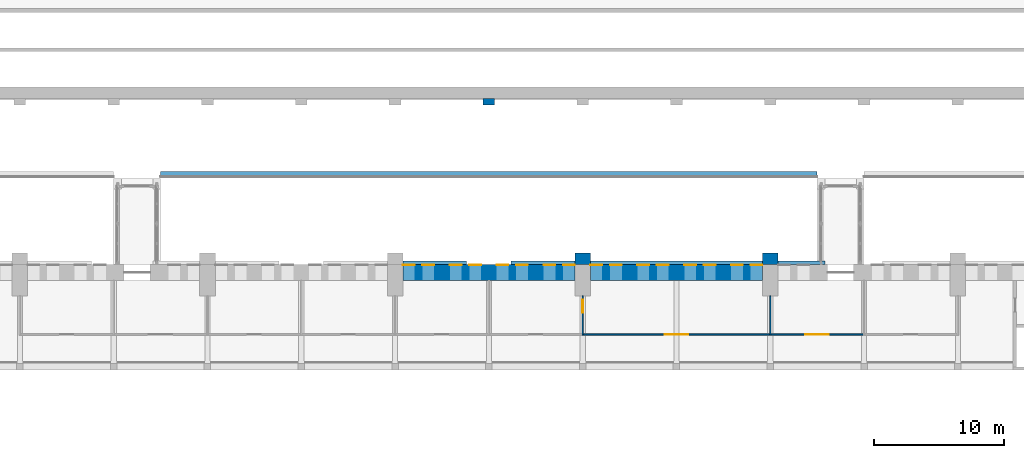
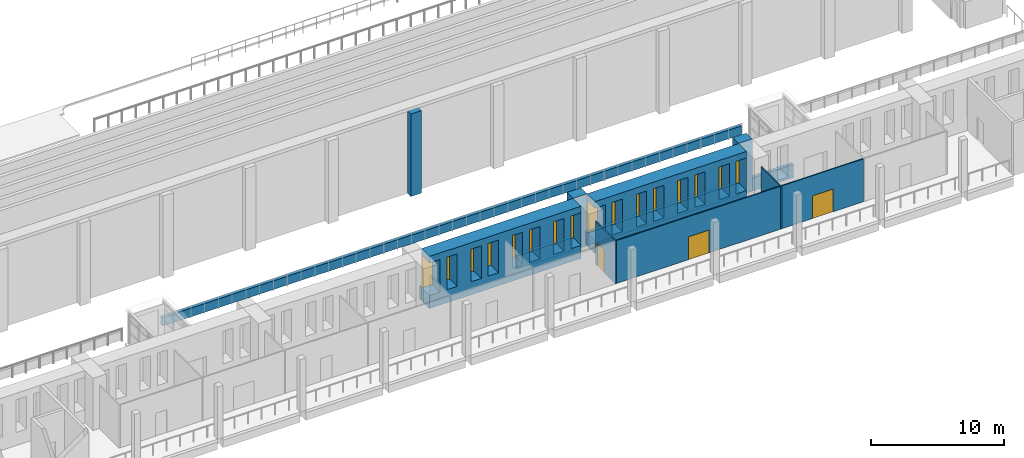
# One storey, part 87 of 131: 16 windows, 14 walls, 3 doors, 19 openings.
"""IFC4 building model written with IfcOpenShell, lengths in metres."""

from ifc_helpers import new_model, si_unit, direction, frame, frame_2d, origin, place, context, subcontext, project, spatial, rectangle, extrude, material, layer, layer_set, type_object, element, fill, save


model = new_model("IFC4")

# Units and contexts
model_context = context("Model", 3, precision=1e-05, world=origin(), true_north=direction((0.0, 1.0)))
body_context = subcontext(model_context, "Body", "Model", "MODEL_VIEW")
ifc_project = project(units=[si_unit("LENGTHUNIT", "METRE"), si_unit("AREAUNIT", "SQUARE_METRE"), si_unit("VOLUMEUNIT", "CUBIC_METRE"), si_unit("PLANEANGLEUNIT", "RADIAN"), si_unit("MASSUNIT", "GRAM", prefix="KILO")], contexts=[model_context])

# Site, building, storey
site_placement = place(None, origin())
site = spatial("IfcSite", under=ifc_project, at=site_placement, CompositionType="ELEMENT")
building_placement = place(site_placement, origin())
building = spatial("IfcBuilding", under=site, at=building_placement, Name="Alderwick Market Hall", CompositionType="ELEMENT")
storey_placement = place(building_placement, frame((0.0, 0.0, 4.800048828125)))
storey = spatial("IfcBuildingStorey", under=building, at=storey_placement, Name="L00", CompositionType="ELEMENT", Elevation=4.800048828125)

# Walls
ifc_material_1 = material(Name="Cast stone 5000 psi", Category="masonry")
ifc_layer_1 = layer(ifc_material_1, 0.300048828125)
ifc_layer_set_1 = layer_set([ifc_layer_1], Name="Cast stone 5000 psi")
wall_type_1 = type_object("IfcWallType", Name="A Cast Stone Balustrade Parapet 300", PredefinedType="SOLIDWALL", material=ifc_layer_set_1)
wall_1_placement = place(storey_placement, frame((75.60009765625, 115.60009765625, 0.0), z_axis=(0.0, 0.0, 1.0), x_axis=(1.0, 0.0, 0.0)))
element("IfcWall", 1, at=wall_1_placement, inside=storey, type_object=wall_type_1, Name="A.N.parapet.01", PredefinedType="SOLIDWALL", context=body_context, shape_type="SweptSolid", body=[
    extrude(rectangle(XDim=50.39990234375, YDim=0.300048828125, at=frame_2d((25.199951171875, 0.0))), origin(), (0.0, 0.0, 1.0), 0.800048828125),
])
ifc_material_2 = material(Name="Concrete 5000 psi (f'c 35 MPa)", Category="concrete")
ifc_layer_2 = layer(ifc_material_2, 0.89990234375)
ifc_layer_set_2 = layer_set([ifc_layer_2], Name="Concrete 5000 psi (f'c 35 MPa)")
wall_type_2 = type_object("IfcWallType", Name="A RC Bank Buttress 900", PredefinedType="SOLIDWALL", material=ifc_layer_set_2)
wall_2_placement = place(storey_placement, frame((100.800048828125, 121.35009765625, 0.0), z_axis=(0.0, 0.0, 1.0), x_axis=(0.0, -1.0, 0.0)))
element("IfcWall", 2, at=wall_2_placement, inside=storey, type_object=wall_type_2, Name="Bank buttress", PredefinedType="SOLIDWALL", context=body_context, shape_type="SweptSolid", body=[
    extrude(rectangle(XDim=0.5, YDim=0.89990234375, at=frame_2d((0.25, 0.0))), origin(), (0.0, 0.0, 1.0), 7.599853515625),
])
ifc_material_3 = material(Name="Cast stone 5000 psi (f'c 35 MPa), ASTM C1364", Category="masonry")
ifc_layer_3 = layer(ifc_material_3, 0.300048828125)
ifc_layer_set_3 = layer_set([ifc_layer_3], Name="Cast stone 5000 psi (f'c 35 MPa), ASTM C1364")
wall_type_3 = type_object("IfcWallType", Name="H Base course 300", PredefinedType="SOLIDWALL", material=ifc_layer_set_3)
wall_3_placement = place(storey_placement, frame((94.199951171875, 108.75, 0.0), z_axis=(0.0, 0.0, 1.0), x_axis=(1.0, 0.0, 0.0)))
element("IfcWall", 3, at=wall_3_placement, inside=storey, type_object=wall_type_3, Name="Base course N4", PredefinedType="SOLIDWALL", context=body_context, shape_type="SweptSolid", body=[
    extrude(rectangle(XDim=4.900146484375, YDim=0.300048828125, at=frame_2d((2.4501953125, 0.0))), origin(), (0.0, 0.0, 1.0), 1.199951171875),
])
wall_4_placement = place(storey_placement, frame((102.5, 108.75, 0.0), z_axis=(0.0, 0.0, 1.0), x_axis=(1.0, 0.0, 0.0)))
element("IfcWall", 4, at=wall_4_placement, inside=storey, type_object=wall_type_3, Name="Base course N4", PredefinedType="SOLIDWALL", context=body_context, shape_type="SweptSolid", body=[
    extrude(rectangle(XDim=4.89990234375, YDim=0.300048828125, at=frame_2d((2.449951171875, 0.0))), origin(), (0.0, 0.0, 1.0), 1.199951171875),
])
wall_5_placement = place(storey_placement, frame((108.60009765625, 108.75, 0.0), z_axis=(0.0, 0.0, 1.0), x_axis=(1.0, 0.0, 0.0)))
element("IfcWall", 5, at=wall_5_placement, inside=storey, type_object=wall_type_3, Name="Base course N5", PredefinedType="SOLIDWALL", context=body_context, shape_type="SweptSolid", body=[
    extrude(rectangle(XDim=13.199951171875, YDim=0.300048828125, at=frame_2d((6.60009765625, 0.0))), origin(), (0.0, 0.0, 1.0), 1.199951171875),
])
wall_6_placement = place(storey_placement, frame((123.0, 108.75, 0.0), z_axis=(0.0, 0.0, 1.0), x_axis=(1.0, 0.0, 0.0)))
element("IfcWall", 6, at=wall_6_placement, inside=storey, type_object=wall_type_3, Name="Base course N6", PredefinedType="SOLIDWALL", context=body_context, shape_type="SweptSolid", body=[
    extrude(rectangle(XDim=3.60009765625, YDim=0.300048828125, at=frame_2d((1.800048828125, 0.0))), origin(), (0.0, 0.0, 1.0), 1.199951171875),
])
ifc_material_4 = material(Name="Face brick masonry, ASTM C216 grade SW (f'm 17 MPa)", Category="masonry")
ifc_layer_4 = layer(ifc_material_4, 0.89990234375)
ifc_layer_set_4 = layer_set([ifc_layer_4], Name="Face brick masonry, ASTM C216 grade SW (f'm 17 MPa)")
wall_type_4 = type_object("IfcWallType", Name="H Buttress pier 900", PredefinedType="SOLIDWALL", material=ifc_layer_set_4)
wall_7_placement = place(storey_placement, frame((107.39990234375, 109.050048828125, 0.0), z_axis=(0.0, 0.0, 1.0), x_axis=(1.0, 0.0, 0.0)))
element("IfcWall", 7, at=wall_7_placement, inside=storey, type_object=wall_type_4, Name="Buttress pier N5", PredefinedType="SOLIDWALL", context=body_context, shape_type="SweptSolid", body=[
    extrude(rectangle(XDim=1.2001953125, YDim=0.89990234375, at=frame_2d((0.60009765625, 0.0))), origin(), (0.0, 0.0, 1.0), 4.800048828125),
])
wall_8_placement = place(storey_placement, frame((121.800048828125, 109.050048828125, 0.0), z_axis=(0.0, 0.0, 1.0), x_axis=(1.0, 0.0, 0.0)))
element("IfcWall", 8, at=wall_8_placement, inside=storey, type_object=wall_type_4, Name="Buttress pier N6", PredefinedType="SOLIDWALL", context=body_context, shape_type="SweptSolid", body=[
    extrude(rectangle(XDim=1.199951171875, YDim=0.89990234375, at=frame_2d((0.60009765625, 0.0))), origin(), (0.0, 0.0, 1.0), 4.800048828125),
])

# Wall, openings, windows
ifc_layer_5 = layer(ifc_material_2, 1.199951171875)
ifc_layer_set_5 = layer_set([ifc_layer_5], Name="Concrete 5000 psi (f'c 35 MPa)")
wall_type_5 = type_object("IfcWallType", Name="H Long wall 1200", PredefinedType="SOLIDWALL", material=ifc_layer_set_5)
wall_9_placement = place(storey_placement, frame((94.199951171875, 108.0, 0.0), z_axis=(0.0, 0.0, 1.0), x_axis=(1.0, 0.0, 0.0)))
wall_9 = element("IfcWall", 9, at=wall_9_placement, inside=storey, type_object=wall_type_5, Name="Long wall N L00 4", PredefinedType="SOLIDWALL", context=body_context, shape_type="SweptSolid", body=[
    extrude(rectangle(XDim=13.199951171875, YDim=1.199951171875, at=frame_2d((6.60009765625, 0.0))), origin(), (0.0, 0.0, 1.0), 4.800048828125),
])
opening_1_placement = place(wall_9_placement, frame((0.0, 0.0, 1.199951171875)))
opening_1 = element("IfcOpeningElement", 10, at=opening_1_placement, cuts=wall_9, Name="Opening H-W131", PredefinedType="OPENING", context=body_context, shape_type="SweptSolid", body=[
    extrude(rectangle(XDim=0.89990234375, YDim=3.0, at=frame_2d((0.449951171875, 1.5))), frame((0.0, 0.60986328125, 0.0), z_axis=(0.0, -1.0, 0.0), x_axis=(1.0, 0.0, 0.0)), (0.0, 0.0, 1.0), 1.219970703125),
])
opening_2_placement = place(wall_9_placement, frame((1.5, 0.0, 1.199951171875)))
opening_2 = element("IfcOpeningElement", 11, at=opening_2_placement, cuts=wall_9, Name="Opening H-W132", PredefinedType="OPENING", context=body_context, shape_type="SweptSolid", body=[
    extrude(rectangle(XDim=0.89990234375, YDim=3.0, at=frame_2d((0.449951171875, 1.5))), frame((0.0, 0.60986328125, 0.0), z_axis=(0.0, -1.0, 0.0), x_axis=(1.0, 0.0, 0.0)), (0.0, 0.0, 1.0), 1.219970703125),
])
opening_3_placement = place(wall_9_placement, frame((3.60009765625, 0.0, 1.199951171875)))
opening_3 = element("IfcOpeningElement", 12, at=opening_3_placement, cuts=wall_9, Name="Opening H-W133", PredefinedType="OPENING", context=body_context, shape_type="SweptSolid", body=[
    extrude(rectangle(XDim=0.89990234375, YDim=3.0, at=frame_2d((0.449951171875, 1.5))), frame((0.0, 0.60986328125, 0.0), z_axis=(0.0, -1.0, 0.0), x_axis=(1.0, 0.0, 0.0)), (0.0, 0.0, 1.0), 1.219970703125),
])
opening_4_placement = place(wall_9_placement, frame((5.10009765625, 0.0, 1.199951171875)))
opening_4 = element("IfcOpeningElement", 13, at=opening_4_placement, cuts=wall_9, Name="Opening H-W134", PredefinedType="OPENING", context=body_context, shape_type="SweptSolid", body=[
    extrude(rectangle(XDim=0.89990234375, YDim=3.0, at=frame_2d((0.449951171875, 1.5))), frame((0.0, 0.60986328125, 0.0), z_axis=(0.0, -1.0, 0.0), x_axis=(1.0, 0.0, 0.0)), (0.0, 0.0, 1.0), 1.219970703125),
])
opening_5_placement = place(wall_9_placement, frame((7.199951171875, 0.0, 1.199951171875)))
opening_5 = element("IfcOpeningElement", 14, at=opening_5_placement, cuts=wall_9, Name="Opening H-W135", PredefinedType="OPENING", context=body_context, shape_type="SweptSolid", body=[
    extrude(rectangle(XDim=0.89990234375, YDim=3.0, at=frame_2d((0.449951171875, 1.5))), frame((0.0, 0.60986328125, 0.0), z_axis=(0.0, -1.0, 0.0), x_axis=(1.0, 0.0, 0.0)), (0.0, 0.0, 1.0), 1.219970703125),
])
opening_6_placement = place(wall_9_placement, frame((8.699951171875, 0.0, 1.199951171875)))
opening_6 = element("IfcOpeningElement", 15, at=opening_6_placement, cuts=wall_9, Name="Opening H-W136", PredefinedType="OPENING", context=body_context, shape_type="SweptSolid", body=[
    extrude(rectangle(XDim=0.89990234375, YDim=3.0, at=frame_2d((0.449951171875, 1.5))), frame((0.0, 0.60986328125, 0.0), z_axis=(0.0, -1.0, 0.0), x_axis=(1.0, 0.0, 0.0)), (0.0, 0.0, 1.0), 1.219970703125),
])
opening_7_placement = place(wall_9_placement, frame((10.800048828125, 0.0, 1.199951171875)))
opening_7 = element("IfcOpeningElement", 16, at=opening_7_placement, cuts=wall_9, Name="Opening H-W137", PredefinedType="OPENING", context=body_context, shape_type="SweptSolid", body=[
    extrude(rectangle(XDim=0.89990234375, YDim=3.0, at=frame_2d((0.449951171875, 1.5))), frame((0.0, 0.60986328125, 0.0), z_axis=(0.0, -1.0, 0.0), x_axis=(1.0, 0.0, 0.0)), (0.0, 0.0, 1.0), 1.219970703125),
])
opening_8_placement = place(wall_9_placement, frame((12.300048828125, 0.0, 1.199951171875)))
opening_8 = element("IfcOpeningElement", 17, at=opening_8_placement, cuts=wall_9, Name="Opening H-W138", PredefinedType="OPENING", context=body_context, shape_type="SweptSolid", body=[
    extrude(rectangle(XDim=0.89990234375, YDim=3.0, at=frame_2d((0.449951171875, 1.5))), frame((0.0, 0.60986328125, 0.0), z_axis=(0.0, -1.0, 0.0), x_axis=(1.0, 0.0, 0.0)), (0.0, 0.0, 1.0), 1.219970703125),
])
ifc_material_5 = material(Name="Aluminium frame with insulated glass", Category="aluminium")
window_type = type_object("IfcWindowType", Name="H Window 900x3000", PartitioningType="SINGLE_PANEL", PredefinedType="WINDOW", material=ifc_material_5)
window_1_placement = place(opening_1_placement, origin())
window_1 = element("IfcWindow", 18, at=window_1_placement, inside=storey, type_object=window_type, Name="Window H-W131", OverallHeight=3.0, OverallWidth=0.89990234375, PartitioningType="SINGLE_PANEL", PredefinedType="WINDOW", context=body_context, shape_type="SweptSolid", body=[
    extrude(rectangle(XDim=0.89990234375, YDim=3.0, at=frame_2d((0.449951171875, 1.5))), frame((0.0, 0.610107421875, 0.0), z_axis=(0.0, -1.0, 0.0), x_axis=(1.0, 0.0, 0.0)), (0.0, 0.0, 1.0), 0.06005859375),
])
fill(opening_1, window_1)
window_2_placement = place(opening_2_placement, origin())
window_2 = element("IfcWindow", 19, at=window_2_placement, inside=storey, type_object=window_type, Name="Window H-W132", OverallHeight=3.0, OverallWidth=0.89990234375, PartitioningType="SINGLE_PANEL", PredefinedType="WINDOW", context=body_context, shape_type="SweptSolid", body=[
    extrude(rectangle(XDim=0.89990234375, YDim=3.0, at=frame_2d((0.449951171875, 1.5))), frame((0.0, 0.610107421875, 0.0), z_axis=(0.0, -1.0, 0.0), x_axis=(1.0, 0.0, 0.0)), (0.0, 0.0, 1.0), 0.06005859375),
])
fill(opening_2, window_2)
window_3_placement = place(opening_3_placement, origin())
window_3 = element("IfcWindow", 20, at=window_3_placement, inside=storey, type_object=window_type, Name="Window H-W133", OverallHeight=3.0, OverallWidth=0.89990234375, PartitioningType="SINGLE_PANEL", PredefinedType="WINDOW", context=body_context, shape_type="SweptSolid", body=[
    extrude(rectangle(XDim=0.89990234375, YDim=3.0, at=frame_2d((0.449951171875, 1.5))), frame((0.0, 0.610107421875, 0.0), z_axis=(0.0, -1.0, 0.0), x_axis=(1.0, 0.0, 0.0)), (0.0, 0.0, 1.0), 0.06005859375),
])
fill(opening_3, window_3)
window_4_placement = place(opening_4_placement, origin())
window_4 = element("IfcWindow", 21, at=window_4_placement, inside=storey, type_object=window_type, Name="Window H-W134", OverallHeight=3.0, OverallWidth=0.89990234375, PartitioningType="SINGLE_PANEL", PredefinedType="WINDOW", context=body_context, shape_type="SweptSolid", body=[
    extrude(rectangle(XDim=0.89990234375, YDim=3.0, at=frame_2d((0.449951171875, 1.5))), frame((0.0, 0.610107421875, 0.0), z_axis=(0.0, -1.0, 0.0), x_axis=(1.0, 0.0, 0.0)), (0.0, 0.0, 1.0), 0.06005859375),
])
fill(opening_4, window_4)
window_5_placement = place(opening_5_placement, origin())
window_5 = element("IfcWindow", 22, at=window_5_placement, inside=storey, type_object=window_type, Name="Window H-W135", OverallHeight=3.0, OverallWidth=0.89990234375, PartitioningType="SINGLE_PANEL", PredefinedType="WINDOW", context=body_context, shape_type="SweptSolid", body=[
    extrude(rectangle(XDim=0.89990234375, YDim=3.0, at=frame_2d((0.449951171875, 1.5))), frame((0.0, 0.610107421875, 0.0), z_axis=(0.0, -1.0, 0.0), x_axis=(1.0, 0.0, 0.0)), (0.0, 0.0, 1.0), 0.06005859375),
])
fill(opening_5, window_5)
window_6_placement = place(opening_6_placement, origin())
window_6 = element("IfcWindow", 23, at=window_6_placement, inside=storey, type_object=window_type, Name="Window H-W136", OverallHeight=3.0, OverallWidth=0.89990234375, PartitioningType="SINGLE_PANEL", PredefinedType="WINDOW", context=body_context, shape_type="SweptSolid", body=[
    extrude(rectangle(XDim=0.89990234375, YDim=3.0, at=frame_2d((0.449951171875, 1.5))), frame((0.0, 0.610107421875, 0.0), z_axis=(0.0, -1.0, 0.0), x_axis=(1.0, 0.0, 0.0)), (0.0, 0.0, 1.0), 0.06005859375),
])
fill(opening_6, window_6)
window_7_placement = place(opening_7_placement, origin())
window_7 = element("IfcWindow", 24, at=window_7_placement, inside=storey, type_object=window_type, Name="Window H-W137", OverallHeight=3.0, OverallWidth=0.89990234375, PartitioningType="SINGLE_PANEL", PredefinedType="WINDOW", context=body_context, shape_type="SweptSolid", body=[
    extrude(rectangle(XDim=0.89990234375, YDim=3.0, at=frame_2d((0.449951171875, 1.5))), frame((0.0, 0.610107421875, 0.0), z_axis=(0.0, -1.0, 0.0), x_axis=(1.0, 0.0, 0.0)), (0.0, 0.0, 1.0), 0.06005859375),
])
fill(opening_7, window_7)
window_8_placement = place(opening_8_placement, origin())
window_8 = element("IfcWindow", 25, at=window_8_placement, inside=storey, type_object=window_type, Name="Window H-W138", OverallHeight=3.0, OverallWidth=0.89990234375, PartitioningType="SINGLE_PANEL", PredefinedType="WINDOW", context=body_context, shape_type="SweptSolid", body=[
    extrude(rectangle(XDim=0.89990234375, YDim=3.0, at=frame_2d((0.449951171875, 1.5))), frame((0.0, 0.610107421875, 0.0), z_axis=(0.0, -1.0, 0.0), x_axis=(1.0, 0.0, 0.0)), (0.0, 0.0, 1.0), 0.06005859375),
])
fill(opening_8, window_8)

wall_10_placement = place(storey_placement, frame((108.60009765625, 108.0, 0.0), z_axis=(0.0, 0.0, 1.0), x_axis=(1.0, 0.0, 0.0)))
wall_10 = element("IfcWall", 26, at=wall_10_placement, inside=storey, type_object=wall_type_5, Name="Long wall N L00 5", PredefinedType="SOLIDWALL", context=body_context, shape_type="SweptSolid", body=[
    extrude(rectangle(XDim=13.199951171875, YDim=1.199951171875, at=frame_2d((6.60009765625, 0.0))), origin(), (0.0, 0.0, 1.0), 4.800048828125),
])
opening_9_placement = place(wall_10_placement, frame((0.0, 0.0, 1.199951171875)))
opening_9 = element("IfcOpeningElement", 27, at=opening_9_placement, cuts=wall_10, Name="Opening H-W139", PredefinedType="OPENING", context=body_context, shape_type="SweptSolid", body=[
    extrude(rectangle(XDim=0.89990234375, YDim=3.0, at=frame_2d((0.449951171875, 1.5))), frame((0.0, 0.60986328125, 0.0), z_axis=(0.0, -1.0, 0.0), x_axis=(1.0, 0.0, 0.0)), (0.0, 0.0, 1.0), 1.219970703125),
])
opening_10_placement = place(wall_10_placement, frame((1.5, 0.0, 1.199951171875)))
opening_10 = element("IfcOpeningElement", 28, at=opening_10_placement, cuts=wall_10, Name="Opening H-W140", PredefinedType="OPENING", context=body_context, shape_type="SweptSolid", body=[
    extrude(rectangle(XDim=0.89990234375, YDim=3.0, at=frame_2d((0.449951171875, 1.5))), frame((0.0, 0.60986328125, 0.0), z_axis=(0.0, -1.0, 0.0), x_axis=(1.0, 0.0, 0.0)), (0.0, 0.0, 1.0), 1.219970703125),
])
opening_11_placement = place(wall_10_placement, frame((3.60009765625, 0.0, 1.199951171875)))
opening_11 = element("IfcOpeningElement", 29, at=opening_11_placement, cuts=wall_10, Name="Opening H-W141", PredefinedType="OPENING", context=body_context, shape_type="SweptSolid", body=[
    extrude(rectangle(XDim=0.89990234375, YDim=3.0, at=frame_2d((0.449951171875, 1.5))), frame((0.0, 0.60986328125, 0.0), z_axis=(0.0, -1.0, 0.0), x_axis=(1.0, 0.0, 0.0)), (0.0, 0.0, 1.0), 1.219970703125),
])
opening_12_placement = place(wall_10_placement, frame((5.10009765625, 0.0, 1.199951171875)))
opening_12 = element("IfcOpeningElement", 30, at=opening_12_placement, cuts=wall_10, Name="Opening H-W142", PredefinedType="OPENING", context=body_context, shape_type="SweptSolid", body=[
    extrude(rectangle(XDim=0.89990234375, YDim=3.0, at=frame_2d((0.449951171875, 1.5))), frame((0.0, 0.60986328125, 0.0), z_axis=(0.0, -1.0, 0.0), x_axis=(1.0, 0.0, 0.0)), (0.0, 0.0, 1.0), 1.219970703125),
])
opening_13_placement = place(wall_10_placement, frame((7.199951171875, 0.0, 1.199951171875)))
opening_13 = element("IfcOpeningElement", 31, at=opening_13_placement, cuts=wall_10, Name="Opening H-W143", PredefinedType="OPENING", context=body_context, shape_type="SweptSolid", body=[
    extrude(rectangle(XDim=0.89990234375, YDim=3.0, at=frame_2d((0.449951171875, 1.5))), frame((0.0, 0.60986328125, 0.0), z_axis=(0.0, -1.0, 0.0), x_axis=(1.0, 0.0, 0.0)), (0.0, 0.0, 1.0), 1.219970703125),
])
opening_14_placement = place(wall_10_placement, frame((8.699951171875, 0.0, 1.199951171875)))
opening_14 = element("IfcOpeningElement", 32, at=opening_14_placement, cuts=wall_10, Name="Opening H-W144", PredefinedType="OPENING", context=body_context, shape_type="SweptSolid", body=[
    extrude(rectangle(XDim=0.89990234375, YDim=3.0, at=frame_2d((0.449951171875, 1.5))), frame((0.0, 0.60986328125, 0.0), z_axis=(0.0, -1.0, 0.0), x_axis=(1.0, 0.0, 0.0)), (0.0, 0.0, 1.0), 1.219970703125),
])
opening_15_placement = place(wall_10_placement, frame((10.800048828125, 0.0, 1.199951171875)))
opening_15 = element("IfcOpeningElement", 33, at=opening_15_placement, cuts=wall_10, Name="Opening H-W145", PredefinedType="OPENING", context=body_context, shape_type="SweptSolid", body=[
    extrude(rectangle(XDim=0.89990234375, YDim=3.0, at=frame_2d((0.449951171875, 1.5))), frame((0.0, 0.60986328125, 0.0), z_axis=(0.0, -1.0, 0.0), x_axis=(1.0, 0.0, 0.0)), (0.0, 0.0, 1.0), 1.219970703125),
])
opening_16_placement = place(wall_10_placement, frame((12.300048828125, 0.0, 1.199951171875)))
opening_16 = element("IfcOpeningElement", 34, at=opening_16_placement, cuts=wall_10, Name="Opening H-W146", PredefinedType="OPENING", context=body_context, shape_type="SweptSolid", body=[
    extrude(rectangle(XDim=0.89990234375, YDim=3.0, at=frame_2d((0.449951171875, 1.5))), frame((0.0, 0.60986328125, 0.0), z_axis=(0.0, -1.0, 0.0), x_axis=(1.0, 0.0, 0.0)), (0.0, 0.0, 1.0), 1.219970703125),
])
window_9_placement = place(opening_9_placement, origin())
window_9 = element("IfcWindow", 35, at=window_9_placement, inside=storey, type_object=window_type, Name="Window H-W139", OverallHeight=3.0, OverallWidth=0.89990234375, PartitioningType="SINGLE_PANEL", PredefinedType="WINDOW", context=body_context, shape_type="SweptSolid", body=[
    extrude(rectangle(XDim=0.89990234375, YDim=3.0, at=frame_2d((0.449951171875, 1.5))), frame((0.0, 0.610107421875, 0.0), z_axis=(0.0, -1.0, 0.0), x_axis=(1.0, 0.0, 0.0)), (0.0, 0.0, 1.0), 0.06005859375),
])
fill(opening_9, window_9)
window_10_placement = place(opening_10_placement, origin())
window_10 = element("IfcWindow", 36, at=window_10_placement, inside=storey, type_object=window_type, Name="Window H-W140", OverallHeight=3.0, OverallWidth=0.89990234375, PartitioningType="SINGLE_PANEL", PredefinedType="WINDOW", context=body_context, shape_type="SweptSolid", body=[
    extrude(rectangle(XDim=0.89990234375, YDim=3.0, at=frame_2d((0.449951171875, 1.5))), frame((0.0, 0.610107421875, 0.0), z_axis=(0.0, -1.0, 0.0), x_axis=(1.0, 0.0, 0.0)), (0.0, 0.0, 1.0), 0.06005859375),
])
fill(opening_10, window_10)
window_11_placement = place(opening_11_placement, origin())
window_11 = element("IfcWindow", 37, at=window_11_placement, inside=storey, type_object=window_type, Name="Window H-W141", OverallHeight=3.0, OverallWidth=0.89990234375, PartitioningType="SINGLE_PANEL", PredefinedType="WINDOW", context=body_context, shape_type="SweptSolid", body=[
    extrude(rectangle(XDim=0.89990234375, YDim=3.0, at=frame_2d((0.449951171875, 1.5))), frame((0.0, 0.610107421875, 0.0), z_axis=(0.0, -1.0, 0.0), x_axis=(1.0, 0.0, 0.0)), (0.0, 0.0, 1.0), 0.06005859375),
])
fill(opening_11, window_11)
window_12_placement = place(opening_12_placement, origin())
window_12 = element("IfcWindow", 38, at=window_12_placement, inside=storey, type_object=window_type, Name="Window H-W142", OverallHeight=3.0, OverallWidth=0.89990234375, PartitioningType="SINGLE_PANEL", PredefinedType="WINDOW", context=body_context, shape_type="SweptSolid", body=[
    extrude(rectangle(XDim=0.89990234375, YDim=3.0, at=frame_2d((0.449951171875, 1.5))), frame((0.0, 0.610107421875, 0.0), z_axis=(0.0, -1.0, 0.0), x_axis=(1.0, 0.0, 0.0)), (0.0, 0.0, 1.0), 0.06005859375),
])
fill(opening_12, window_12)
window_13_placement = place(opening_13_placement, origin())
window_13 = element("IfcWindow", 39, at=window_13_placement, inside=storey, type_object=window_type, Name="Window H-W143", OverallHeight=3.0, OverallWidth=0.89990234375, PartitioningType="SINGLE_PANEL", PredefinedType="WINDOW", context=body_context, shape_type="SweptSolid", body=[
    extrude(rectangle(XDim=0.89990234375, YDim=3.0, at=frame_2d((0.449951171875, 1.5))), frame((0.0, 0.610107421875, 0.0), z_axis=(0.0, -1.0, 0.0), x_axis=(1.0, 0.0, 0.0)), (0.0, 0.0, 1.0), 0.06005859375),
])
fill(opening_13, window_13)
window_14_placement = place(opening_14_placement, origin())
window_14 = element("IfcWindow", 40, at=window_14_placement, inside=storey, type_object=window_type, Name="Window H-W144", OverallHeight=3.0, OverallWidth=0.89990234375, PartitioningType="SINGLE_PANEL", PredefinedType="WINDOW", context=body_context, shape_type="SweptSolid", body=[
    extrude(rectangle(XDim=0.89990234375, YDim=3.0, at=frame_2d((0.449951171875, 1.5))), frame((0.0, 0.610107421875, 0.0), z_axis=(0.0, -1.0, 0.0), x_axis=(1.0, 0.0, 0.0)), (0.0, 0.0, 1.0), 0.06005859375),
])
fill(opening_14, window_14)
window_15_placement = place(opening_15_placement, origin())
window_15 = element("IfcWindow", 41, at=window_15_placement, inside=storey, type_object=window_type, Name="Window H-W145", OverallHeight=3.0, OverallWidth=0.89990234375, PartitioningType="SINGLE_PANEL", PredefinedType="WINDOW", context=body_context, shape_type="SweptSolid", body=[
    extrude(rectangle(XDim=0.89990234375, YDim=3.0, at=frame_2d((0.449951171875, 1.5))), frame((0.0, 0.610107421875, 0.0), z_axis=(0.0, -1.0, 0.0), x_axis=(1.0, 0.0, 0.0)), (0.0, 0.0, 1.0), 0.06005859375),
])
fill(opening_15, window_15)
window_16_placement = place(opening_16_placement, origin())
window_16 = element("IfcWindow", 42, at=window_16_placement, inside=storey, type_object=window_type, Name="Window H-W146", OverallHeight=3.0, OverallWidth=0.89990234375, PartitioningType="SINGLE_PANEL", PredefinedType="WINDOW", context=body_context, shape_type="SweptSolid", body=[
    extrude(rectangle(XDim=0.89990234375, YDim=3.0, at=frame_2d((0.449951171875, 1.5))), frame((0.0, 0.610107421875, 0.0), z_axis=(0.0, -1.0, 0.0), x_axis=(1.0, 0.0, 0.0)), (0.0, 0.0, 1.0), 0.06005859375),
])
fill(opening_16, window_16)

# Wall, opening, door
ifc_material_6 = material(Name="Gypsum board partition")
ifc_layer_6 = layer(ifc_material_6, 0.10009765625)
ifc_layer_set_6 = layer_set([ifc_layer_6], Name="Gypsum board partition")
wall_type_6 = type_object("IfcWallType", Name="H Partition 100", PredefinedType="PARTITIONING", material=ifc_layer_set_6)
wall_11_placement = place(storey_placement, frame((108.0, 106.199951171875, 0.0), z_axis=(0.0, 0.0, 1.0), x_axis=(0.0, -1.0, 0.0)))
wall_11 = element("IfcWall", 43, at=wall_11_placement, inside=storey, type_object=wall_type_6, Name="Partition", PredefinedType="PARTITIONING", context=body_context, shape_type="SweptSolid", body=[
    extrude(rectangle(XDim=3.0, YDim=0.10009765625, at=frame_2d((1.5, 0.0))), origin(), (0.0, 0.0, 1.0), 3.949951171875),
])
opening_17_placement = place(wall_11_placement, frame((0.300048828125, 0.0, 0.0)))
opening_17 = element("IfcOpeningElement", 44, at=opening_17_placement, cuts=wall_11, Name="Opening H-D074", PredefinedType="OPENING", context=body_context, shape_type="SweptSolid", body=[
    extrude(rectangle(XDim=1.0, YDim=2.10009765625, at=frame_2d((0.5, 1.050048828125))), frame((0.0, 0.06005859375, 0.0), z_axis=(0.0, -1.0, 0.0), x_axis=(1.0, 0.0, 0.0)), (0.0, 0.0, 1.0), 0.1201171875),
])
ifc_material_7 = material(Name="Timber, solid core", Category="wood")
door_type_1 = type_object("IfcDoorType", Name="H Room door 1000x2100", OperationType="SINGLE_SWING_LEFT", PredefinedType="DOOR", material=ifc_material_7)
door_1_placement = place(opening_17_placement, origin())
door_1 = element("IfcDoor", 45, at=door_1_placement, inside=storey, type_object=door_type_1, Name="Door H-D074", OperationType="SINGLE_SWING_LEFT", OverallHeight=2.10009765625, OverallWidth=1.0, PredefinedType="DOOR", context=body_context, shape_type="SweptSolid", body=[
    extrude(rectangle(XDim=1.0, YDim=2.10009765625, at=frame_2d((0.5, 1.050048828125))), frame((0.0, 0.02490234375, 0.0), z_axis=(0.0, -1.0, 0.0), x_axis=(1.0, 0.0, 0.0)), (0.0, 0.0, 1.0), 0.050048828125),
])
fill(opening_17, door_1)

# Wall
wall_12_placement = place(storey_placement, frame((122.39990234375, 106.199951171875, 0.0), z_axis=(0.0, 0.0, 1.0), x_axis=(0.0, -1.0, 0.0)))
element("IfcWall", 46, at=wall_12_placement, inside=storey, type_object=wall_type_6, Name="Partition", PredefinedType="PARTITIONING", context=body_context, shape_type="SweptSolid", body=[
    extrude(rectangle(XDim=3.0, YDim=0.10009765625, at=frame_2d((1.5, 0.0))), origin(), (0.0, 0.0, 1.0), 3.949951171875),
])

# Wall, opening, door
wall_13_placement = place(storey_placement, frame((108.050048828125, 103.25, 0.0), z_axis=(0.0, 0.0, 1.0), x_axis=(1.0, 0.0, 0.0)))
wall_13 = element("IfcWall", 47, at=wall_13_placement, inside=storey, type_object=wall_type_6, Name="Partition", PredefinedType="PARTITIONING", context=body_context, shape_type="SweptSolid", body=[
    extrude(rectangle(XDim=14.300048828125, YDim=0.10009765625, at=frame_2d((7.14990234375, 0.0))), origin(), (0.0, 0.0, 1.0), 3.949951171875),
])
opening_18_placement = place(wall_13_placement, frame((6.25, 0.0, 0.0)))
opening_18 = element("IfcOpeningElement", 48, at=opening_18_placement, cuts=wall_13, Name="Opening H-D075", PredefinedType="OPENING", context=body_context, shape_type="SweptSolid", body=[
    extrude(rectangle(XDim=1.800048828125, YDim=2.10009765625, at=frame_2d((0.89990234375, 1.050048828125))), frame((0.0, 0.06005859375, 0.0), z_axis=(0.0, -1.0, 0.0), x_axis=(1.0, 0.0, 0.0)), (0.0, 0.0, 1.0), 0.1201171875),
])
ifc_material_8 = material(Name="Timber and glass", Category="wood")
door_type_2 = type_object("IfcDoorType", Name="H Double door 1800x2100", OperationType="DOUBLE_DOOR_SINGLE_SWING", PredefinedType="DOOR", material=ifc_material_8)
door_2_placement = place(opening_18_placement, origin())
door_2 = element("IfcDoor", 49, at=door_2_placement, inside=storey, type_object=door_type_2, Name="Door H-D075", OperationType="DOUBLE_DOOR_SINGLE_SWING", OverallHeight=2.10009765625, OverallWidth=1.800048828125, PredefinedType="DOOR", context=body_context, shape_type="SweptSolid", body=[
    extrude(rectangle(XDim=1.800048828125, YDim=2.10009765625, at=frame_2d((0.89990234375, 1.050048828125))), frame((0.0, 0.02490234375, 0.0), z_axis=(0.0, -1.0, 0.0), x_axis=(1.0, 0.0, 0.0)), (0.0, 0.0, 1.0), 0.050048828125),
])
fill(opening_18, door_2)

wall_14_placement = place(storey_placement, frame((122.449951171875, 103.25, 0.0), z_axis=(0.0, 0.0, 1.0), x_axis=(1.0, 0.0, 0.0)))
wall_14 = element("IfcWall", 50, at=wall_14_placement, inside=storey, type_object=wall_type_6, Name="Partition", PredefinedType="PARTITIONING", context=body_context, shape_type="SweptSolid", body=[
    extrude(rectangle(XDim=7.10009765625, YDim=0.10009765625, at=frame_2d((3.550048828125, 0.0))), origin(), (0.0, 0.0, 1.0), 3.949951171875),
])
opening_19_placement = place(wall_14_placement, frame((2.64990234375, 0.0, 0.0)))
opening_19 = element("IfcOpeningElement", 51, at=opening_19_placement, cuts=wall_14, Name="Opening H-D076", PredefinedType="OPENING", context=body_context, shape_type="SweptSolid", body=[
    extrude(rectangle(XDim=1.800048828125, YDim=2.10009765625, at=frame_2d((0.89990234375, 1.050048828125))), frame((0.0, 0.06005859375, 0.0), z_axis=(0.0, -1.0, 0.0), x_axis=(1.0, 0.0, 0.0)), (0.0, 0.0, 1.0), 0.1201171875),
])
door_3_placement = place(opening_19_placement, origin())
door_3 = element("IfcDoor", 52, at=door_3_placement, inside=storey, type_object=door_type_2, Name="Door H-D076", OperationType="DOUBLE_DOOR_SINGLE_SWING", OverallHeight=2.10009765625, OverallWidth=1.800048828125, PredefinedType="DOOR", context=body_context, shape_type="SweptSolid", body=[
    extrude(rectangle(XDim=1.800048828125, YDim=2.10009765625, at=frame_2d((0.89990234375, 1.050048828125))), frame((0.0, 0.02490234375, 0.0), z_axis=(0.0, -1.0, 0.0), x_axis=(1.0, 0.0, 0.0)), (0.0, 0.0, 1.0), 0.050048828125),
])
fill(opening_19, door_3)

save(model, "model.ifc")
